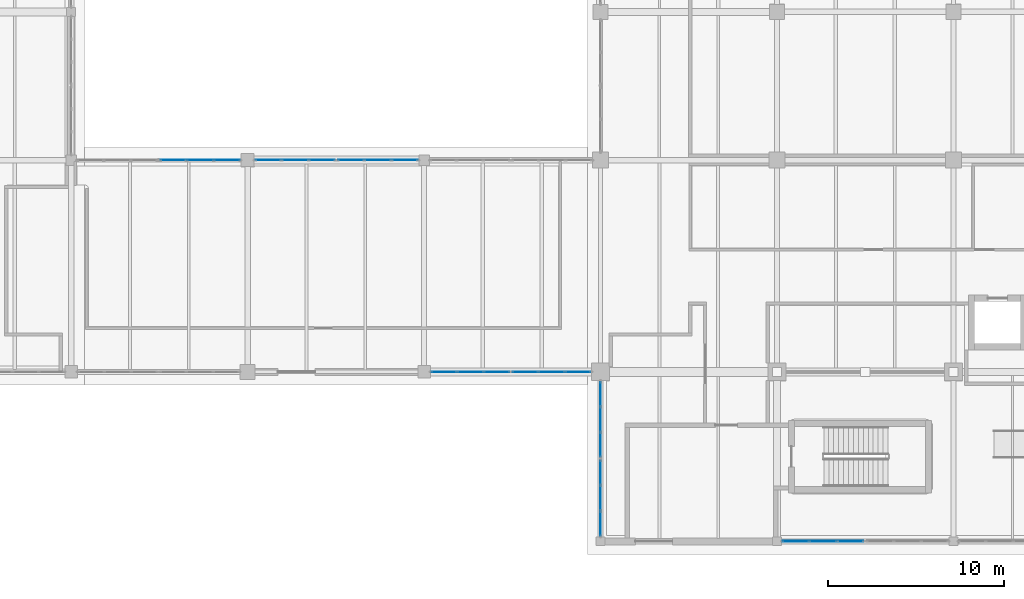
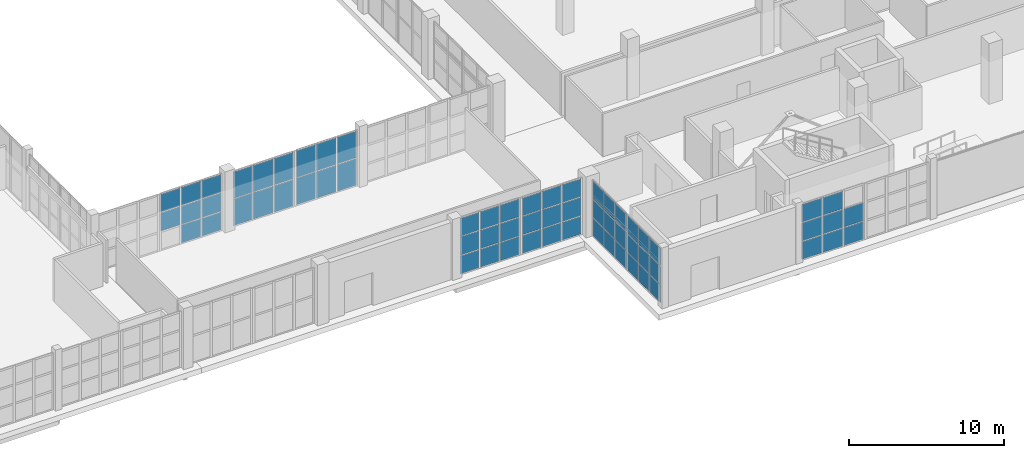
# One storey, part 81 of 121: 64 plates, 8 elements without a shape of their own.
"""IFC4 building model written with IfcOpenShell, lengths in metres."""

from ifc_helpers import new_model, si_unit, direction, frame, origin, origin_2d, place, context, subcontext, project, spatial, rectangle, extrude, material, layer, layer_set, type_object, element, aggregate, save


model = new_model("IFC4")

# Units and contexts
model_context = context("Model", 3, precision=1e-05, world=origin(), true_north=direction((0.0, 1.0)))
body_context = subcontext(model_context, "Body", "Model", "MODEL_VIEW")
ifc_project = project(units=[si_unit("LENGTHUNIT", "METRE"), si_unit("AREAUNIT", "SQUARE_METRE"), si_unit("VOLUMEUNIT", "CUBIC_METRE"), si_unit("PLANEANGLEUNIT", "RADIAN"), si_unit("MASSUNIT", "GRAM", prefix="KILO")], contexts=[model_context])

# Site, building, storey
site_placement = place(None, origin())
site = spatial("IfcSite", under=ifc_project, at=site_placement, CompositionType="ELEMENT")
building_placement = place(site_placement, origin())
building = spatial("IfcBuilding", under=site, at=building_placement, Name="Zereglee Splitstone Museum", CompositionType="ELEMENT")
storey_placement = place(building_placement, origin())
storey = spatial("IfcBuildingStorey", under=building, at=storey_placement, Name="L00", CompositionType="ELEMENT", Elevation=0.0)

# Curtain wall, plates
ifc_material_1 = material(Name="Triple-glazed low-E argon glass and bronze-anodised aluminium", Category="aluminium")
ifc_layer_1 = layer(ifc_material_1, 0.179931640625)
ifc_layer_set_1 = layer_set([ifc_layer_1], Name="Triple-glazed low-E argon glass and bronze-anodised aluminium")
curtain_wall_type_1 = type_object("IfcCurtainWallType", Name="CW-0470-444", PredefinedType="USERDEFINED", material=ifc_layer_set_1)
curtain_wall_1_placement = place(storey_placement, origin())
curtain_wall_1 = element("IfcCurtainWall", 1, at=curtain_wall_1_placement, inside=storey, type_object=curtain_wall_type_1, Name="Glazed Curtain Wall CW-0470-444 (L00)", ObjectType="GLAZED CURTAIN WALL", PredefinedType="USERDEFINED")
ifc_material_2 = material(Name="Triple low-e argon insulated safety glass", Category="glass")
ifc_layer_2 = layer(ifc_material_2, 0.035888671875)
ifc_layer_set_2 = layer_set([ifc_layer_2], Name="Triple low-e argon insulated safety glass")
plate_type = type_object("IfcPlateType", Name="CWP-01", PredefinedType="CURTAIN_PANEL", material=ifc_layer_set_2)
plate_1_placement = place(storey_placement, frame((186.2578125, 0.0, 0.06494140625), z_axis=(0.0, 0.0, 1.0), x_axis=(1.0, 0.0, 0.0)))
plate_1 = element("IfcPlate", 2, at=plate_1_placement, type_object=plate_type, Name="CW-0470-444 panel 1.1", PredefinedType="CURTAIN_PANEL", context=body_context, shape_type="SweptSolid", body=[
    extrude(rectangle(XDim=1.4697265625, YDim=0.035888671875, at=origin_2d()), origin(), (0.0, 0.0, 1.0), 1.382568359375),
])
plate_2_placement = place(storey_placement, frame((186.2578125, 0.0, 1.512451171875), z_axis=(0.0, 0.0, 1.0), x_axis=(1.0, 0.0, 0.0)))
plate_2 = element("IfcPlate", 3, at=plate_2_placement, type_object=plate_type, Name="CW-0470-444 panel 1.2", PredefinedType="CURTAIN_PANEL", context=body_context, shape_type="SweptSolid", body=[
    extrude(rectangle(XDim=1.4697265625, YDim=0.035888671875, at=origin_2d()), origin(), (0.0, 0.0, 1.0), 1.4150390625),
])
plate_3_placement = place(storey_placement, frame((186.2578125, 0.0, 2.99267578125), z_axis=(0.0, 0.0, 1.0), x_axis=(1.0, 0.0, 0.0)))
plate_3 = element("IfcPlate", 4, at=plate_3_placement, type_object=plate_type, Name="CW-0470-444 panel 1.3", PredefinedType="CURTAIN_PANEL", context=body_context, shape_type="SweptSolid", body=[
    extrude(rectangle(XDim=1.4697265625, YDim=0.035888671875, at=origin_2d()), origin(), (0.0, 0.0, 1.0), 1.382568359375),
])
plate_4_placement = place(storey_placement, frame((187.80908203125, 0.0, 0.06494140625), z_axis=(0.0, 0.0, 1.0), x_axis=(1.0, 0.0, 0.0)))
plate_4 = element("IfcPlate", 5, at=plate_4_placement, type_object=plate_type, Name="CW-0470-444 panel 2.1", PredefinedType="CURTAIN_PANEL", context=body_context, shape_type="SweptSolid", body=[
    extrude(rectangle(XDim=1.50244140625, YDim=0.035888671875, at=origin_2d()), origin(), (0.0, 0.0, 1.0), 1.382568359375),
])
plate_5_placement = place(storey_placement, frame((187.80908203125, 0.0, 1.512451171875), z_axis=(0.0, 0.0, 1.0), x_axis=(1.0, 0.0, 0.0)))
plate_5 = element("IfcPlate", 6, at=plate_5_placement, type_object=plate_type, Name="CW-0470-444 panel 2.2", PredefinedType="CURTAIN_PANEL", context=body_context, shape_type="SweptSolid", body=[
    extrude(rectangle(XDim=1.50244140625, YDim=0.035888671875, at=origin_2d()), origin(), (0.0, 0.0, 1.0), 1.4150390625),
])
plate_6_placement = place(storey_placement, frame((187.80908203125, 0.0, 2.99267578125), z_axis=(0.0, 0.0, 1.0), x_axis=(1.0, 0.0, 0.0)))
plate_6 = element("IfcPlate", 7, at=plate_6_placement, type_object=plate_type, Name="CW-0470-444 panel 2.3", PredefinedType="CURTAIN_PANEL", context=body_context, shape_type="SweptSolid", body=[
    extrude(rectangle(XDim=1.50244140625, YDim=0.035888671875, at=origin_2d()), origin(), (0.0, 0.0, 1.0), 1.382568359375),
])
plate_7_placement = place(storey_placement, frame((189.360107421875, 0.0, 0.06494140625), z_axis=(0.0, 0.0, 1.0), x_axis=(1.0, 0.0, 0.0)))
plate_7 = element("IfcPlate", 8, at=plate_7_placement, type_object=plate_type, Name="CW-0470-444 panel 3.1", PredefinedType="CURTAIN_PANEL", context=body_context, shape_type="SweptSolid", body=[
    extrude(rectangle(XDim=1.4697265625, YDim=0.035888671875, at=origin_2d()), origin(), (0.0, 0.0, 1.0), 1.382568359375),
])
plate_8_placement = place(storey_placement, frame((189.360107421875, 0.0, 1.512451171875), z_axis=(0.0, 0.0, 1.0), x_axis=(1.0, 0.0, 0.0)))
plate_8 = element("IfcPlate", 9, at=plate_8_placement, type_object=plate_type, Name="CW-0470-444 panel 3.2", PredefinedType="CURTAIN_PANEL", context=body_context, shape_type="SweptSolid", body=[
    extrude(rectangle(XDim=1.4697265625, YDim=0.035888671875, at=origin_2d()), origin(), (0.0, 0.0, 1.0), 1.4150390625),
])
aggregate(curtain_wall_1, [plate_1, plate_2, plate_3, plate_4, plate_5, plate_6, plate_7, plate_8])

ifc_layer_3 = layer(ifc_material_1, 0.179931640625)
ifc_layer_set_3 = layer_set([ifc_layer_3], Name="Triple-glazed low-E argon glass and bronze-anodised aluminium")
curtain_wall_type_2 = type_object("IfcCurtainWallType", Name="CW-0461-438", PredefinedType="USERDEFINED", material=ifc_layer_set_3)
curtain_wall_2_placement = place(storey_placement, origin())
curtain_wall_2 = element("IfcCurtainWall", 10, at=curtain_wall_2_placement, inside=storey, type_object=curtain_wall_type_2, Name="Glazed Curtain Wall CW-0461-438 (L00)", ObjectType="GLAZED CURTAIN WALL", PredefinedType="USERDEFINED")
plate_9_placement = place(storey_placement, frame((164.106689453125, 21.60009765625, 0.06494140625), z_axis=(0.0, 0.0, 1.0), x_axis=(-1.0, 0.0, 0.0)))
plate_9 = element("IfcPlate", 11, at=plate_9_placement, type_object=plate_type, Name="CW-0461-438 panel 1.1", PredefinedType="CURTAIN_PANEL", context=body_context, shape_type="SweptSolid", body=[
    extrude(rectangle(XDim=1.440673828125, YDim=0.035888671875, at=origin_2d()), origin(), (0.0, 0.0, 1.0), 2.092529296875),
])
plate_10_placement = place(storey_placement, frame((164.106689453125, 21.60009765625, 2.22265625), z_axis=(0.0, 0.0, 1.0), x_axis=(-1.0, 0.0, 0.0)))
plate_10 = element("IfcPlate", 12, at=plate_10_placement, type_object=plate_type, Name="CW-0461-438 panel 1.2", PredefinedType="CURTAIN_PANEL", context=body_context, shape_type="SweptSolid", body=[
    extrude(rectangle(XDim=1.440673828125, YDim=0.035888671875, at=origin_2d()), origin(), (0.0, 0.0, 1.0), 2.092529296875),
])
plate_11_placement = place(storey_placement, frame((162.584716796875, 21.60009765625, 0.06494140625), z_axis=(0.0, 0.0, 1.0), x_axis=(-1.0, 0.0, 0.0)))
plate_11 = element("IfcPlate", 13, at=plate_11_placement, type_object=plate_type, Name="CW-0461-438 panel 2.1", PredefinedType="CURTAIN_PANEL", context=body_context, shape_type="SweptSolid", body=[
    extrude(rectangle(XDim=1.47314453125, YDim=0.035888671875, at=origin_2d()), origin(), (0.0, 0.0, 1.0), 2.092529296875),
])
plate_12_placement = place(storey_placement, frame((162.584716796875, 21.60009765625, 2.22265625), z_axis=(0.0, 0.0, 1.0), x_axis=(-1.0, 0.0, 0.0)))
plate_12 = element("IfcPlate", 14, at=plate_12_placement, type_object=plate_type, Name="CW-0461-438 panel 2.2", PredefinedType="CURTAIN_PANEL", context=body_context, shape_type="SweptSolid", body=[
    extrude(rectangle(XDim=1.47314453125, YDim=0.035888671875, at=origin_2d()), origin(), (0.0, 0.0, 1.0), 2.092529296875),
])
plate_13_placement = place(storey_placement, frame((161.062744140625, 21.60009765625, 0.06494140625), z_axis=(0.0, 0.0, 1.0), x_axis=(-1.0, 0.0, 0.0)))
plate_13 = element("IfcPlate", 15, at=plate_13_placement, type_object=plate_type, Name="CW-0461-438 panel 3.1", PredefinedType="CURTAIN_PANEL", context=body_context, shape_type="SweptSolid", body=[
    extrude(rectangle(XDim=1.440673828125, YDim=0.035888671875, at=origin_2d()), origin(), (0.0, 0.0, 1.0), 2.092529296875),
])
plate_14_placement = place(storey_placement, frame((161.062744140625, 21.60009765625, 2.22265625), z_axis=(0.0, 0.0, 1.0), x_axis=(-1.0, 0.0, 0.0)))
plate_14 = element("IfcPlate", 16, at=plate_14_placement, type_object=plate_type, Name="CW-0461-438 panel 3.2", PredefinedType="CURTAIN_PANEL", context=body_context, shape_type="SweptSolid", body=[
    extrude(rectangle(XDim=1.440673828125, YDim=0.035888671875, at=origin_2d()), origin(), (0.0, 0.0, 1.0), 2.092529296875),
])
aggregate(curtain_wall_2, [plate_9, plate_10, plate_11, plate_12, plate_13, plate_14])

ifc_layer_4 = layer(ifc_material_1, 0.179931640625)
ifc_layer_set_4 = layer_set([ifc_layer_4], Name="Triple-glazed low-E argon glass and bronze-anodised aluminium")
curtain_wall_type_3 = type_object("IfcCurtainWallType", Name="CW-0461-436", PredefinedType="USERDEFINED", material=ifc_layer_set_4)
curtain_wall_3_placement = place(storey_placement, origin())
curtain_wall_3 = element("IfcCurtainWall", 17, at=curtain_wall_3_placement, inside=storey, type_object=curtain_wall_type_3, Name="Glazed Curtain Wall CW-0461-436 (L00)", ObjectType="GLAZED CURTAIN WALL", PredefinedType="USERDEFINED")
plate_15_placement = place(storey_placement, frame((159.412109375, 21.60009765625, 0.06494140625), z_axis=(0.0, 0.0, 1.0), x_axis=(-1.0, 0.0, 0.0)))
plate_15 = element("IfcPlate", 18, at=plate_15_placement, type_object=plate_type, Name="CW-0461-436 panel 1.1", PredefinedType="CURTAIN_PANEL", context=body_context, shape_type="SweptSolid", body=[
    extrude(rectangle(XDim=1.440673828125, YDim=0.035888671875, at=origin_2d()), origin(), (0.0, 0.0, 1.0), 2.08251953125),
])
plate_16_placement = place(storey_placement, frame((159.412109375, 21.60009765625, 2.21240234375), z_axis=(0.0, 0.0, 1.0), x_axis=(-1.0, 0.0, 0.0)))
plate_16 = element("IfcPlate", 19, at=plate_16_placement, type_object=plate_type, Name="CW-0461-436 panel 1.2", PredefinedType="CURTAIN_PANEL", context=body_context, shape_type="SweptSolid", body=[
    extrude(rectangle(XDim=1.440673828125, YDim=0.035888671875, at=origin_2d()), origin(), (0.0, 0.0, 1.0), 2.08251953125),
])
plate_17_placement = place(storey_placement, frame((157.89013671875, 21.60009765625, 0.06494140625), z_axis=(0.0, 0.0, 1.0), x_axis=(-1.0, 0.0, 0.0)))
plate_17 = element("IfcPlate", 20, at=plate_17_placement, type_object=plate_type, Name="CW-0461-436 panel 2.1", PredefinedType="CURTAIN_PANEL", context=body_context, shape_type="SweptSolid", body=[
    extrude(rectangle(XDim=1.47314453125, YDim=0.035888671875, at=origin_2d()), origin(), (0.0, 0.0, 1.0), 2.08251953125),
])
plate_18_placement = place(storey_placement, frame((157.89013671875, 21.60009765625, 2.21240234375), z_axis=(0.0, 0.0, 1.0), x_axis=(-1.0, 0.0, 0.0)))
plate_18 = element("IfcPlate", 21, at=plate_18_placement, type_object=plate_type, Name="CW-0461-436 panel 2.2", PredefinedType="CURTAIN_PANEL", context=body_context, shape_type="SweptSolid", body=[
    extrude(rectangle(XDim=1.47314453125, YDim=0.035888671875, at=origin_2d()), origin(), (0.0, 0.0, 1.0), 2.08251953125),
])
plate_19_placement = place(storey_placement, frame((156.368408203125, 21.60009765625, 0.06494140625), z_axis=(0.0, 0.0, 1.0), x_axis=(-1.0, 0.0, 0.0)))
plate_19 = element("IfcPlate", 22, at=plate_19_placement, type_object=plate_type, Name="CW-0461-436 panel 3.1", PredefinedType="CURTAIN_PANEL", context=body_context, shape_type="SweptSolid", body=[
    extrude(rectangle(XDim=1.440673828125, YDim=0.035888671875, at=origin_2d()), origin(), (0.0, 0.0, 1.0), 2.08251953125),
])
plate_20_placement = place(storey_placement, frame((156.368408203125, 21.60009765625, 2.21240234375), z_axis=(0.0, 0.0, 1.0), x_axis=(-1.0, 0.0, 0.0)))
plate_20 = element("IfcPlate", 23, at=plate_20_placement, type_object=plate_type, Name="CW-0461-436 panel 3.2", PredefinedType="CURTAIN_PANEL", context=body_context, shape_type="SweptSolid", body=[
    extrude(rectangle(XDim=1.440673828125, YDim=0.035888671875, at=origin_2d()), origin(), (0.0, 0.0, 1.0), 2.08251953125),
])
aggregate(curtain_wall_3, [plate_15, plate_16, plate_17, plate_18, plate_19, plate_20])

ifc_layer_5 = layer(ifc_material_1, 0.179931640625)
ifc_layer_set_5 = layer_set([ifc_layer_5], Name="Triple-glazed low-E argon glass and bronze-anodised aluminium")
curtain_wall_type_4 = type_object("IfcCurtainWallType", Name="CW-0461-450", PredefinedType="USERDEFINED", material=ifc_layer_set_5)
curtain_wall_4_placement = place(storey_placement, origin())
curtain_wall_4 = element("IfcCurtainWall", 24, at=curtain_wall_4_placement, inside=storey, type_object=curtain_wall_type_4, Name="Glazed Curtain Wall CW-0461-450 (L00)", ObjectType="GLAZED CURTAIN WALL", PredefinedType="USERDEFINED")
plate_21_placement = place(storey_placement, frame((154.03173828125, 21.60009765625, 0.06494140625), z_axis=(0.0, 0.0, 1.0), x_axis=(-1.0, 0.0, 0.0)))
plate_21 = element("IfcPlate", 25, at=plate_21_placement, type_object=plate_type, Name="CW-0461-450 panel 1.1", PredefinedType="CURTAIN_PANEL", context=body_context, shape_type="SweptSolid", body=[
    extrude(rectangle(XDim=1.440673828125, YDim=0.035888671875, at=origin_2d()), origin(), (0.0, 0.0, 1.0), 1.402587890625),
])
plate_22_placement = place(storey_placement, frame((154.03173828125, 21.60009765625, 1.532470703125), z_axis=(0.0, 0.0, 1.0), x_axis=(-1.0, 0.0, 0.0)))
plate_22 = element("IfcPlate", 26, at=plate_22_placement, type_object=plate_type, Name="CW-0461-450 panel 1.2", PredefinedType="CURTAIN_PANEL", context=body_context, shape_type="SweptSolid", body=[
    extrude(rectangle(XDim=1.440673828125, YDim=0.035888671875, at=origin_2d()), origin(), (0.0, 0.0, 1.0), 1.43505859375),
])
plate_23_placement = place(storey_placement, frame((154.03173828125, 21.60009765625, 3.0322265625), z_axis=(0.0, 0.0, 1.0), x_axis=(-1.0, 0.0, 0.0)))
plate_23 = element("IfcPlate", 27, at=plate_23_placement, type_object=plate_type, Name="CW-0461-450 panel 1.3", PredefinedType="CURTAIN_PANEL", context=body_context, shape_type="SweptSolid", body=[
    extrude(rectangle(XDim=1.440673828125, YDim=0.035888671875, at=origin_2d()), origin(), (0.0, 0.0, 1.0), 1.402587890625),
])
plate_24_placement = place(storey_placement, frame((152.509765625, 21.60009765625, 0.06494140625), z_axis=(0.0, 0.0, 1.0), x_axis=(-1.0, 0.0, 0.0)))
plate_24 = element("IfcPlate", 28, at=plate_24_placement, type_object=plate_type, Name="CW-0461-450 panel 2.1", PredefinedType="CURTAIN_PANEL", context=body_context, shape_type="SweptSolid", body=[
    extrude(rectangle(XDim=1.47314453125, YDim=0.035888671875, at=origin_2d()), origin(), (0.0, 0.0, 1.0), 1.402587890625),
])
plate_25_placement = place(storey_placement, frame((152.509765625, 21.60009765625, 1.532470703125), z_axis=(0.0, 0.0, 1.0), x_axis=(-1.0, 0.0, 0.0)))
plate_25 = element("IfcPlate", 29, at=plate_25_placement, type_object=plate_type, Name="CW-0461-450 panel 2.2", PredefinedType="CURTAIN_PANEL", context=body_context, shape_type="SweptSolid", body=[
    extrude(rectangle(XDim=1.47314453125, YDim=0.035888671875, at=origin_2d()), origin(), (0.0, 0.0, 1.0), 1.43505859375),
])
plate_26_placement = place(storey_placement, frame((152.509765625, 21.60009765625, 3.0322265625), z_axis=(0.0, 0.0, 1.0), x_axis=(-1.0, 0.0, 0.0)))
plate_26 = element("IfcPlate", 30, at=plate_26_placement, type_object=plate_type, Name="CW-0461-450 panel 2.3", PredefinedType="CURTAIN_PANEL", context=body_context, shape_type="SweptSolid", body=[
    extrude(rectangle(XDim=1.47314453125, YDim=0.035888671875, at=origin_2d()), origin(), (0.0, 0.0, 1.0), 1.402587890625),
])
plate_27_placement = place(storey_placement, frame((150.98779296875, 21.60009765625, 1.532470703125), z_axis=(0.0, 0.0, 1.0), x_axis=(-1.0, 0.0, 0.0)))
plate_27 = element("IfcPlate", 31, at=plate_27_placement, type_object=plate_type, Name="CW-0461-450 panel 3.2", PredefinedType="CURTAIN_PANEL", context=body_context, shape_type="SweptSolid", body=[
    extrude(rectangle(XDim=1.440673828125, YDim=0.035888671875, at=origin_2d()), origin(), (0.0, 0.0, 1.0), 1.43505859375),
])
plate_28_placement = place(storey_placement, frame((150.98779296875, 21.60009765625, 3.0322265625), z_axis=(0.0, 0.0, 1.0), x_axis=(-1.0, 0.0, 0.0)))
plate_28 = element("IfcPlate", 32, at=plate_28_placement, type_object=plate_type, Name="CW-0461-450 panel 3.3", PredefinedType="CURTAIN_PANEL", context=body_context, shape_type="SweptSolid", body=[
    extrude(rectangle(XDim=1.440673828125, YDim=0.035888671875, at=origin_2d()), origin(), (0.0, 0.0, 1.0), 1.402587890625),
])
aggregate(curtain_wall_4, [plate_21, plate_22, plate_23, plate_24, plate_25, plate_26, plate_27, plate_28])

ifc_layer_6 = layer(ifc_material_1, 0.179931640625)
ifc_layer_set_6 = layer_set([ifc_layer_6], Name="Triple-glazed low-E argon glass and bronze-anodised aluminium")
curtain_wall_type_5 = type_object("IfcCurtainWallType", Name="CW-0453-450", PredefinedType="USERDEFINED", material=ifc_layer_set_6)
curtain_wall_5_placement = place(storey_placement, origin())
curtain_wall_5 = element("IfcCurtainWall", 33, at=curtain_wall_5_placement, inside=storey, type_object=curtain_wall_type_5, Name="Glazed Curtain Wall CW-0453-450 (L00)", ObjectType="GLAZED CURTAIN WALL", PredefinedType="USERDEFINED")
plate_29_placement = place(storey_placement, frame((166.328857421875, 9.60009765625, 0.06494140625), z_axis=(0.0, 0.0, 1.0), x_axis=(1.0, 0.0, 0.0)))
plate_29 = element("IfcPlate", 34, at=plate_29_placement, type_object=plate_type, Name="CW-0453-450 panel 1.1", PredefinedType="CURTAIN_PANEL", context=body_context, shape_type="SweptSolid", body=[
    extrude(rectangle(XDim=1.41162109375, YDim=0.035888671875, at=origin_2d()), origin(), (0.0, 0.0, 1.0), 1.402587890625),
])
plate_30_placement = place(storey_placement, frame((166.328857421875, 9.60009765625, 1.532470703125), z_axis=(0.0, 0.0, 1.0), x_axis=(1.0, 0.0, 0.0)))
plate_30 = element("IfcPlate", 35, at=plate_30_placement, type_object=plate_type, Name="CW-0453-450 panel 1.2", PredefinedType="CURTAIN_PANEL", context=body_context, shape_type="SweptSolid", body=[
    extrude(rectangle(XDim=1.41162109375, YDim=0.035888671875, at=origin_2d()), origin(), (0.0, 0.0, 1.0), 1.43505859375),
])
plate_31_placement = place(storey_placement, frame((166.328857421875, 9.60009765625, 3.0322265625), z_axis=(0.0, 0.0, 1.0), x_axis=(1.0, 0.0, 0.0)))
plate_31 = element("IfcPlate", 36, at=plate_31_placement, type_object=plate_type, Name="CW-0453-450 panel 1.3", PredefinedType="CURTAIN_PANEL", context=body_context, shape_type="SweptSolid", body=[
    extrude(rectangle(XDim=1.41162109375, YDim=0.035888671875, at=origin_2d()), origin(), (0.0, 0.0, 1.0), 1.402587890625),
])
plate_32_placement = place(storey_placement, frame((167.821533203125, 9.60009765625, 0.06494140625), z_axis=(0.0, 0.0, 1.0), x_axis=(1.0, 0.0, 0.0)))
plate_32 = element("IfcPlate", 37, at=plate_32_placement, type_object=plate_type, Name="CW-0453-450 panel 2.1", PredefinedType="CURTAIN_PANEL", context=body_context, shape_type="SweptSolid", body=[
    extrude(rectangle(XDim=1.444091796875, YDim=0.035888671875, at=origin_2d()), origin(), (0.0, 0.0, 1.0), 1.402587890625),
])
plate_33_placement = place(storey_placement, frame((167.821533203125, 9.60009765625, 1.532470703125), z_axis=(0.0, 0.0, 1.0), x_axis=(1.0, 0.0, 0.0)))
plate_33 = element("IfcPlate", 38, at=plate_33_placement, type_object=plate_type, Name="CW-0453-450 panel 2.2", PredefinedType="CURTAIN_PANEL", context=body_context, shape_type="SweptSolid", body=[
    extrude(rectangle(XDim=1.444091796875, YDim=0.035888671875, at=origin_2d()), origin(), (0.0, 0.0, 1.0), 1.43505859375),
])
plate_34_placement = place(storey_placement, frame((167.821533203125, 9.60009765625, 3.0322265625), z_axis=(0.0, 0.0, 1.0), x_axis=(1.0, 0.0, 0.0)))
plate_34 = element("IfcPlate", 39, at=plate_34_placement, type_object=plate_type, Name="CW-0453-450 panel 2.3", PredefinedType="CURTAIN_PANEL", context=body_context, shape_type="SweptSolid", body=[
    extrude(rectangle(XDim=1.444091796875, YDim=0.035888671875, at=origin_2d()), origin(), (0.0, 0.0, 1.0), 1.402587890625),
])
plate_35_placement = place(storey_placement, frame((169.314208984375, 9.60009765625, 0.06494140625), z_axis=(0.0, 0.0, 1.0), x_axis=(1.0, 0.0, 0.0)))
plate_35 = element("IfcPlate", 40, at=plate_35_placement, type_object=plate_type, Name="CW-0453-450 panel 3.1", PredefinedType="CURTAIN_PANEL", context=body_context, shape_type="SweptSolid", body=[
    extrude(rectangle(XDim=1.41162109375, YDim=0.035888671875, at=origin_2d()), origin(), (0.0, 0.0, 1.0), 1.402587890625),
])
plate_36_placement = place(storey_placement, frame((169.314208984375, 9.60009765625, 1.532470703125), z_axis=(0.0, 0.0, 1.0), x_axis=(1.0, 0.0, 0.0)))
plate_36 = element("IfcPlate", 41, at=plate_36_placement, type_object=plate_type, Name="CW-0453-450 panel 3.2", PredefinedType="CURTAIN_PANEL", context=body_context, shape_type="SweptSolid", body=[
    extrude(rectangle(XDim=1.41162109375, YDim=0.035888671875, at=origin_2d()), origin(), (0.0, 0.0, 1.0), 1.43505859375),
])
plate_37_placement = place(storey_placement, frame((169.314208984375, 9.60009765625, 3.0322265625), z_axis=(0.0, 0.0, 1.0), x_axis=(1.0, 0.0, 0.0)))
plate_37 = element("IfcPlate", 42, at=plate_37_placement, type_object=plate_type, Name="CW-0453-450 panel 3.3", PredefinedType="CURTAIN_PANEL", context=body_context, shape_type="SweptSolid", body=[
    extrude(rectangle(XDim=1.41162109375, YDim=0.035888671875, at=origin_2d()), origin(), (0.0, 0.0, 1.0), 1.402587890625),
])
aggregate(curtain_wall_5, [plate_29, plate_30, plate_31, plate_32, plate_33, plate_34, plate_35, plate_36, plate_37])

ifc_layer_7 = layer(ifc_material_1, 0.179931640625)
ifc_layer_set_7 = layer_set([ifc_layer_7], Name="Triple-glazed low-E argon glass and bronze-anodised aluminium")
curtain_wall_type_6 = type_object("IfcCurtainWallType", Name="CW-0453-448", PredefinedType="USERDEFINED", material=ifc_layer_set_7)
curtain_wall_6_placement = place(storey_placement, origin())
curtain_wall_6 = element("IfcCurtainWall", 43, at=curtain_wall_6_placement, inside=storey, type_object=curtain_wall_type_6, Name="Glazed Curtain Wall CW-0453-448 (L00)", ObjectType="GLAZED CURTAIN WALL", PredefinedType="USERDEFINED")
plate_38_placement = place(storey_placement, frame((170.935791015625, 9.60009765625, 0.06494140625), z_axis=(0.0, 0.0, 1.0), x_axis=(1.0, 0.0, 0.0)))
plate_38 = element("IfcPlate", 44, at=plate_38_placement, type_object=plate_type, Name="CW-0453-448 panel 1.1", PredefinedType="CURTAIN_PANEL", context=body_context, shape_type="SweptSolid", body=[
    extrude(rectangle(XDim=1.41162109375, YDim=0.035888671875, at=origin_2d()), origin(), (0.0, 0.0, 1.0), 1.395751953125),
])
plate_39_placement = place(storey_placement, frame((170.935791015625, 9.60009765625, 1.52587890625), z_axis=(0.0, 0.0, 1.0), x_axis=(1.0, 0.0, 0.0)))
plate_39 = element("IfcPlate", 45, at=plate_39_placement, type_object=plate_type, Name="CW-0453-448 panel 1.2", PredefinedType="CURTAIN_PANEL", context=body_context, shape_type="SweptSolid", body=[
    extrude(rectangle(XDim=1.41162109375, YDim=0.035888671875, at=origin_2d()), origin(), (0.0, 0.0, 1.0), 1.428466796875),
])
plate_40_placement = place(storey_placement, frame((170.935791015625, 9.60009765625, 3.01904296875), z_axis=(0.0, 0.0, 1.0), x_axis=(1.0, 0.0, 0.0)))
plate_40 = element("IfcPlate", 46, at=plate_40_placement, type_object=plate_type, Name="CW-0453-448 panel 1.3", PredefinedType="CURTAIN_PANEL", context=body_context, shape_type="SweptSolid", body=[
    extrude(rectangle(XDim=1.41162109375, YDim=0.035888671875, at=origin_2d()), origin(), (0.0, 0.0, 1.0), 1.395751953125),
])
plate_41_placement = place(storey_placement, frame((172.428466796875, 9.60009765625, 0.06494140625), z_axis=(0.0, 0.0, 1.0), x_axis=(1.0, 0.0, 0.0)))
plate_41 = element("IfcPlate", 47, at=plate_41_placement, type_object=plate_type, Name="CW-0453-448 panel 2.1", PredefinedType="CURTAIN_PANEL", context=body_context, shape_type="SweptSolid", body=[
    extrude(rectangle(XDim=1.444091796875, YDim=0.035888671875, at=origin_2d()), origin(), (0.0, 0.0, 1.0), 1.395751953125),
])
plate_42_placement = place(storey_placement, frame((172.428466796875, 9.60009765625, 1.52587890625), z_axis=(0.0, 0.0, 1.0), x_axis=(1.0, 0.0, 0.0)))
plate_42 = element("IfcPlate", 48, at=plate_42_placement, type_object=plate_type, Name="CW-0453-448 panel 2.2", PredefinedType="CURTAIN_PANEL", context=body_context, shape_type="SweptSolid", body=[
    extrude(rectangle(XDim=1.444091796875, YDim=0.035888671875, at=origin_2d()), origin(), (0.0, 0.0, 1.0), 1.428466796875),
])
plate_43_placement = place(storey_placement, frame((172.428466796875, 9.60009765625, 3.01904296875), z_axis=(0.0, 0.0, 1.0), x_axis=(1.0, 0.0, 0.0)))
plate_43 = element("IfcPlate", 49, at=plate_43_placement, type_object=plate_type, Name="CW-0453-448 panel 2.3", PredefinedType="CURTAIN_PANEL", context=body_context, shape_type="SweptSolid", body=[
    extrude(rectangle(XDim=1.444091796875, YDim=0.035888671875, at=origin_2d()), origin(), (0.0, 0.0, 1.0), 1.395751953125),
])
plate_44_placement = place(storey_placement, frame((173.921142578125, 9.60009765625, 0.06494140625), z_axis=(0.0, 0.0, 1.0), x_axis=(1.0, 0.0, 0.0)))
plate_44 = element("IfcPlate", 50, at=plate_44_placement, type_object=plate_type, Name="CW-0453-448 panel 3.1", PredefinedType="CURTAIN_PANEL", context=body_context, shape_type="SweptSolid", body=[
    extrude(rectangle(XDim=1.41162109375, YDim=0.035888671875, at=origin_2d()), origin(), (0.0, 0.0, 1.0), 1.395751953125),
])
plate_45_placement = place(storey_placement, frame((173.921142578125, 9.60009765625, 1.52587890625), z_axis=(0.0, 0.0, 1.0), x_axis=(1.0, 0.0, 0.0)))
plate_45 = element("IfcPlate", 51, at=plate_45_placement, type_object=plate_type, Name="CW-0453-448 panel 3.2", PredefinedType="CURTAIN_PANEL", context=body_context, shape_type="SweptSolid", body=[
    extrude(rectangle(XDim=1.41162109375, YDim=0.035888671875, at=origin_2d()), origin(), (0.0, 0.0, 1.0), 1.428466796875),
])
plate_46_placement = place(storey_placement, frame((173.921142578125, 9.60009765625, 3.01904296875), z_axis=(0.0, 0.0, 1.0), x_axis=(1.0, 0.0, 0.0)))
plate_46 = element("IfcPlate", 52, at=plate_46_placement, type_object=plate_type, Name="CW-0453-448 panel 3.3", PredefinedType="CURTAIN_PANEL", context=body_context, shape_type="SweptSolid", body=[
    extrude(rectangle(XDim=1.41162109375, YDim=0.035888671875, at=origin_2d()), origin(), (0.0, 0.0, 1.0), 1.395751953125),
])
aggregate(curtain_wall_6, [plate_38, plate_39, plate_40, plate_41, plate_42, plate_43, plate_44, plate_45, plate_46])

ifc_layer_8 = layer(ifc_material_1, 0.179931640625)
ifc_layer_set_8 = layer_set([ifc_layer_8], Name="Triple-glazed low-E argon glass and bronze-anodised aluminium")
curtain_wall_type_7 = type_object("IfcCurtainWallType", Name="CW-0438-444", PredefinedType="USERDEFINED", material=ifc_layer_set_8)
curtain_wall_7_placement = place(storey_placement, origin())
curtain_wall_7 = element("IfcCurtainWall", 53, at=curtain_wall_7_placement, inside=storey, type_object=curtain_wall_type_7, Name="Glazed Curtain Wall CW-0438-444 (L00)", ObjectType="GLAZED CURTAIN WALL", PredefinedType="USERDEFINED")
plate_47_placement = place(storey_placement, frame((175.199951171875, 8.34619140625, 0.06494140625), z_axis=(0.0, 0.0, 1.0), x_axis=(0.0, -1.0, 0.0)))
plate_47 = element("IfcPlate", 54, at=plate_47_placement, type_object=plate_type, Name="CW-0438-444 panel 1.1", PredefinedType="CURTAIN_PANEL", context=body_context, shape_type="SweptSolid", body=[
    extrude(rectangle(XDim=1.361572265625, YDim=0.035888671875, at=origin_2d()), origin(), (0.0, 0.0, 1.0), 1.382568359375),
])
plate_48_placement = place(storey_placement, frame((175.199951171875, 8.34619140625, 1.512451171875), z_axis=(0.0, 0.0, 1.0), x_axis=(0.0, -1.0, 0.0)))
plate_48 = element("IfcPlate", 55, at=plate_48_placement, type_object=plate_type, Name="CW-0438-444 panel 1.2", PredefinedType="CURTAIN_PANEL", context=body_context, shape_type="SweptSolid", body=[
    extrude(rectangle(XDim=1.361572265625, YDim=0.035888671875, at=origin_2d()), origin(), (0.0, 0.0, 1.0), 1.4150390625),
])
plate_49_placement = place(storey_placement, frame((175.199951171875, 8.34619140625, 2.99267578125), z_axis=(0.0, 0.0, 1.0), x_axis=(0.0, -1.0, 0.0)))
plate_49 = element("IfcPlate", 56, at=plate_49_placement, type_object=plate_type, Name="CW-0438-444 panel 1.3", PredefinedType="CURTAIN_PANEL", context=body_context, shape_type="SweptSolid", body=[
    extrude(rectangle(XDim=1.361572265625, YDim=0.035888671875, at=origin_2d()), origin(), (0.0, 0.0, 1.0), 1.382568359375),
])
plate_50_placement = place(storey_placement, frame((175.199951171875, 6.903564453125, 0.06494140625), z_axis=(0.0, 0.0, 1.0), x_axis=(0.0, -1.0, 0.0)))
plate_50 = element("IfcPlate", 57, at=plate_50_placement, type_object=plate_type, Name="CW-0438-444 panel 2.1", PredefinedType="CURTAIN_PANEL", context=body_context, shape_type="SweptSolid", body=[
    extrude(rectangle(XDim=1.39404296875, YDim=0.035888671875, at=origin_2d()), origin(), (0.0, 0.0, 1.0), 1.382568359375),
])
plate_51_placement = place(storey_placement, frame((175.199951171875, 6.903564453125, 1.512451171875), z_axis=(0.0, 0.0, 1.0), x_axis=(0.0, -1.0, 0.0)))
plate_51 = element("IfcPlate", 58, at=plate_51_placement, type_object=plate_type, Name="CW-0438-444 panel 2.2", PredefinedType="CURTAIN_PANEL", context=body_context, shape_type="SweptSolid", body=[
    extrude(rectangle(XDim=1.39404296875, YDim=0.035888671875, at=origin_2d()), origin(), (0.0, 0.0, 1.0), 1.4150390625),
])
plate_52_placement = place(storey_placement, frame((175.199951171875, 6.903564453125, 2.99267578125), z_axis=(0.0, 0.0, 1.0), x_axis=(0.0, -1.0, 0.0)))
plate_52 = element("IfcPlate", 59, at=plate_52_placement, type_object=plate_type, Name="CW-0438-444 panel 2.3", PredefinedType="CURTAIN_PANEL", context=body_context, shape_type="SweptSolid", body=[
    extrude(rectangle(XDim=1.39404296875, YDim=0.035888671875, at=origin_2d()), origin(), (0.0, 0.0, 1.0), 1.382568359375),
])
plate_53_placement = place(storey_placement, frame((175.199951171875, 5.460693359375, 0.06494140625), z_axis=(0.0, 0.0, 1.0), x_axis=(0.0, -1.0, 0.0)))
plate_53 = element("IfcPlate", 60, at=plate_53_placement, type_object=plate_type, Name="CW-0438-444 panel 3.1", PredefinedType="CURTAIN_PANEL", context=body_context, shape_type="SweptSolid", body=[
    extrude(rectangle(XDim=1.361572265625, YDim=0.035888671875, at=origin_2d()), origin(), (0.0, 0.0, 1.0), 1.382568359375),
])
plate_54_placement = place(storey_placement, frame((175.199951171875, 5.460693359375, 1.512451171875), z_axis=(0.0, 0.0, 1.0), x_axis=(0.0, -1.0, 0.0)))
plate_54 = element("IfcPlate", 61, at=plate_54_placement, type_object=plate_type, Name="CW-0438-444 panel 3.2", PredefinedType="CURTAIN_PANEL", context=body_context, shape_type="SweptSolid", body=[
    extrude(rectangle(XDim=1.361572265625, YDim=0.035888671875, at=origin_2d()), origin(), (0.0, 0.0, 1.0), 1.4150390625),
])
plate_55_placement = place(storey_placement, frame((175.199951171875, 5.460693359375, 2.99267578125), z_axis=(0.0, 0.0, 1.0), x_axis=(0.0, -1.0, 0.0)))
plate_55 = element("IfcPlate", 62, at=plate_55_placement, type_object=plate_type, Name="CW-0438-444 panel 3.3", PredefinedType="CURTAIN_PANEL", context=body_context, shape_type="SweptSolid", body=[
    extrude(rectangle(XDim=1.361572265625, YDim=0.035888671875, at=origin_2d()), origin(), (0.0, 0.0, 1.0), 1.382568359375),
])
aggregate(curtain_wall_7, [plate_47, plate_48, plate_49, plate_50, plate_51, plate_52, plate_53, plate_54, plate_55])

ifc_layer_9 = layer(ifc_material_1, 0.179931640625)
ifc_layer_set_9 = layer_set([ifc_layer_9], Name="Triple-glazed low-E argon glass and bronze-anodised aluminium")
curtain_wall_type_8 = type_object("IfcCurtainWallType", Name="CW-0438-442", PredefinedType="USERDEFINED", material=ifc_layer_set_9)
curtain_wall_8_placement = place(storey_placement, origin())
curtain_wall_8 = element("IfcCurtainWall", 63, at=curtain_wall_8_placement, inside=storey, type_object=curtain_wall_type_8, Name="Glazed Curtain Wall CW-0438-442 (L00)", ObjectType="GLAZED CURTAIN WALL", PredefinedType="USERDEFINED")
plate_56_placement = place(storey_placement, frame((175.199951171875, 3.88916015625, 0.06494140625), z_axis=(0.0, 0.0, 1.0), x_axis=(0.0, -1.0, 0.0)))
plate_56 = element("IfcPlate", 64, at=plate_56_placement, type_object=plate_type, Name="CW-0438-442 panel 1.1", PredefinedType="CURTAIN_PANEL", context=body_context, shape_type="SweptSolid", body=[
    extrude(rectangle(XDim=1.361572265625, YDim=0.035888671875, at=origin_2d()), origin(), (0.0, 0.0, 1.0), 1.375732421875),
])
plate_57_placement = place(storey_placement, frame((175.199951171875, 3.88916015625, 1.505859375), z_axis=(0.0, 0.0, 1.0), x_axis=(0.0, -1.0, 0.0)))
plate_57 = element("IfcPlate", 65, at=plate_57_placement, type_object=plate_type, Name="CW-0438-442 panel 1.2", PredefinedType="CURTAIN_PANEL", context=body_context, shape_type="SweptSolid", body=[
    extrude(rectangle(XDim=1.361572265625, YDim=0.035888671875, at=origin_2d()), origin(), (0.0, 0.0, 1.0), 1.408447265625),
])
plate_58_placement = place(storey_placement, frame((175.199951171875, 3.88916015625, 2.97900390625), z_axis=(0.0, 0.0, 1.0), x_axis=(0.0, -1.0, 0.0)))
plate_58 = element("IfcPlate", 66, at=plate_58_placement, type_object=plate_type, Name="CW-0438-442 panel 1.3", PredefinedType="CURTAIN_PANEL", context=body_context, shape_type="SweptSolid", body=[
    extrude(rectangle(XDim=1.361572265625, YDim=0.035888671875, at=origin_2d()), origin(), (0.0, 0.0, 1.0), 1.375732421875),
])
plate_59_placement = place(storey_placement, frame((175.199951171875, 2.446533203125, 0.06494140625), z_axis=(0.0, 0.0, 1.0), x_axis=(0.0, -1.0, 0.0)))
plate_59 = element("IfcPlate", 67, at=plate_59_placement, type_object=plate_type, Name="CW-0438-442 panel 2.1", PredefinedType="CURTAIN_PANEL", context=body_context, shape_type="SweptSolid", body=[
    extrude(rectangle(XDim=1.39404296875, YDim=0.035888671875, at=origin_2d()), origin(), (0.0, 0.0, 1.0), 1.375732421875),
])
plate_60_placement = place(storey_placement, frame((175.199951171875, 2.446533203125, 1.505859375), z_axis=(0.0, 0.0, 1.0), x_axis=(0.0, -1.0, 0.0)))
plate_60 = element("IfcPlate", 68, at=plate_60_placement, type_object=plate_type, Name="CW-0438-442 panel 2.2", PredefinedType="CURTAIN_PANEL", context=body_context, shape_type="SweptSolid", body=[
    extrude(rectangle(XDim=1.39404296875, YDim=0.035888671875, at=origin_2d()), origin(), (0.0, 0.0, 1.0), 1.408447265625),
])
plate_61_placement = place(storey_placement, frame((175.199951171875, 2.446533203125, 2.97900390625), z_axis=(0.0, 0.0, 1.0), x_axis=(0.0, -1.0, 0.0)))
plate_61 = element("IfcPlate", 69, at=plate_61_placement, type_object=plate_type, Name="CW-0438-442 panel 2.3", PredefinedType="CURTAIN_PANEL", context=body_context, shape_type="SweptSolid", body=[
    extrude(rectangle(XDim=1.39404296875, YDim=0.035888671875, at=origin_2d()), origin(), (0.0, 0.0, 1.0), 1.375732421875),
])
plate_62_placement = place(storey_placement, frame((175.199951171875, 1.003662109375, 0.06494140625), z_axis=(0.0, 0.0, 1.0), x_axis=(0.0, -1.0, 0.0)))
plate_62 = element("IfcPlate", 70, at=plate_62_placement, type_object=plate_type, Name="CW-0438-442 panel 3.1", PredefinedType="CURTAIN_PANEL", context=body_context, shape_type="SweptSolid", body=[
    extrude(rectangle(XDim=1.361572265625, YDim=0.035888671875, at=origin_2d()), origin(), (0.0, 0.0, 1.0), 1.375732421875),
])
plate_63_placement = place(storey_placement, frame((175.199951171875, 1.003662109375, 1.505859375), z_axis=(0.0, 0.0, 1.0), x_axis=(0.0, -1.0, 0.0)))
plate_63 = element("IfcPlate", 71, at=plate_63_placement, type_object=plate_type, Name="CW-0438-442 panel 3.2", PredefinedType="CURTAIN_PANEL", context=body_context, shape_type="SweptSolid", body=[
    extrude(rectangle(XDim=1.361572265625, YDim=0.035888671875, at=origin_2d()), origin(), (0.0, 0.0, 1.0), 1.408447265625),
])
plate_64_placement = place(storey_placement, frame((175.199951171875, 1.003662109375, 2.97900390625), z_axis=(0.0, 0.0, 1.0), x_axis=(0.0, -1.0, 0.0)))
plate_64 = element("IfcPlate", 72, at=plate_64_placement, type_object=plate_type, Name="CW-0438-442 panel 3.3", PredefinedType="CURTAIN_PANEL", context=body_context, shape_type="SweptSolid", body=[
    extrude(rectangle(XDim=1.361572265625, YDim=0.035888671875, at=origin_2d()), origin(), (0.0, 0.0, 1.0), 1.375732421875),
])
aggregate(curtain_wall_8, [plate_56, plate_57, plate_58, plate_59, plate_60, plate_61, plate_62, plate_63, plate_64])

save(model, "model.ifc")
